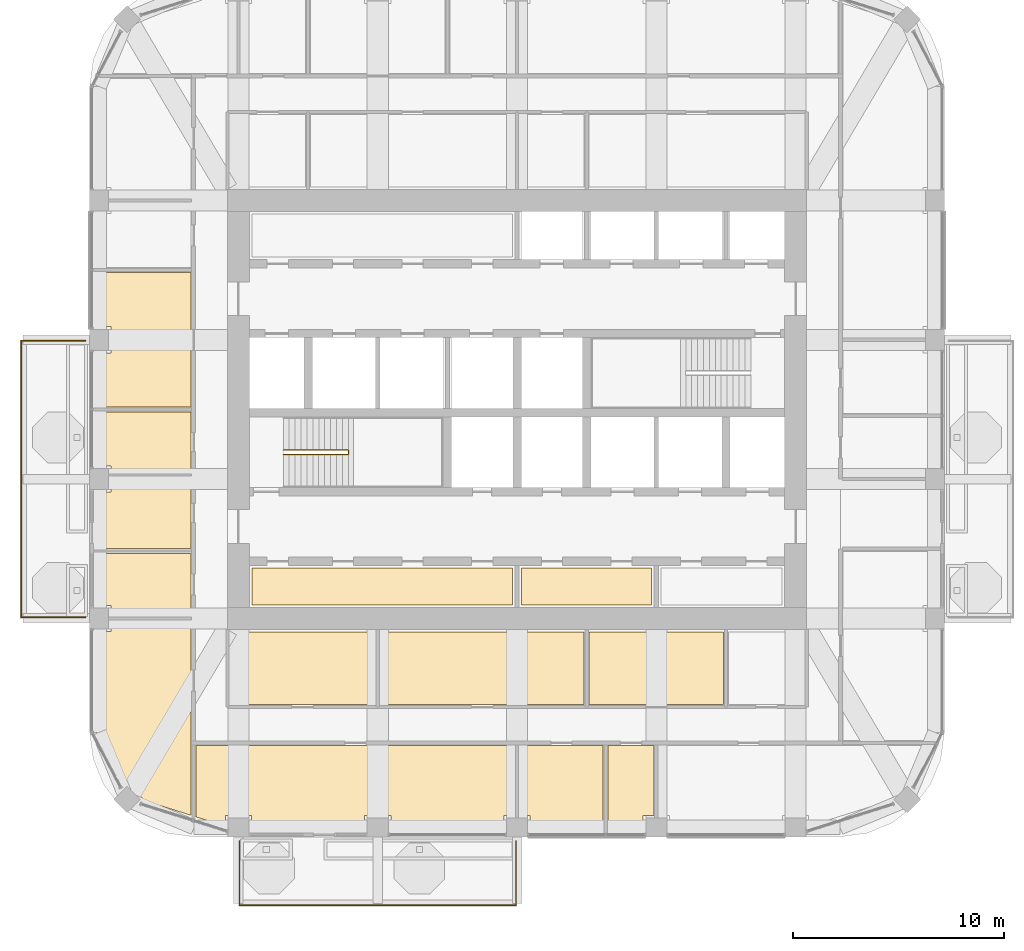
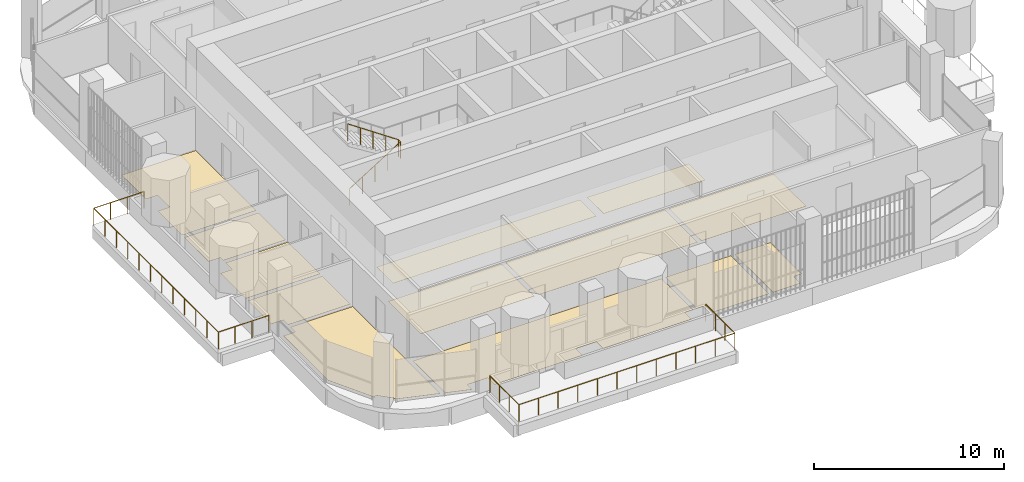
# One storey, part 15 of 18: 13 coverings, 3 railings.
"""IFC4 building model written with IfcOpenShell, lengths in metres."""

from ifc_helpers import new_model, si_unit, direction, frame, origin, place, context, subcontext, project, spatial, polyline, outline, extrude, material, layer, layer_set, type_object, element, save


model = new_model("IFC4")

# Units and contexts
model_context = context("Model", 3, precision=1e-05, world=origin(), true_north=direction((0.0, 1.0)))
body_context = subcontext(model_context, "Body", "Model", "MODEL_VIEW")
ifc_project = project(units=[si_unit("LENGTHUNIT", "METRE"), si_unit("AREAUNIT", "SQUARE_METRE"), si_unit("VOLUMEUNIT", "CUBIC_METRE"), si_unit("PLANEANGLEUNIT", "RADIAN"), si_unit("MASSUNIT", "GRAM", prefix="KILO")], contexts=[model_context])

# Site, building, storey
site_placement = place(None, origin())
site = spatial("IfcSite", under=ifc_project, at=site_placement, CompositionType="ELEMENT")
building_placement = place(site_placement, origin())
building = spatial("IfcBuilding", under=site, at=building_placement, Name="Cobogo Forest Laboratory Tower", CompositionType="ELEMENT")
storey_placement = place(building_placement, frame((0.0, 0.0, 271.199951171875)))
storey = spatial("IfcBuildingStorey", under=building, at=storey_placement, Name="L62", CompositionType="ELEMENT", Elevation=271.199951171875)

# Railings
ifc_material_1 = material(Name="Laminated glass balustrade", Category="glass")
railing_type_1 = type_object("IfcRailingType", Name="BG1 glass balustrade 1100", PredefinedType="GUARDRAIL", material=ifc_material_1)
railing_1_placement = place(storey_placement, frame((13.25, 2.64990234375, 0.0)))
element("IfcRailing", 1, at=railing_1_placement, inside=storey, type_object=railing_type_1, Name="Balcony balustrade BAL-S1 L62", PredefinedType="GUARDRAIL", context=body_context, shape_type="SweptSolid", body=[
    extrude(outline(polyline([(0.022216796875, 0.00927734375), (0.00927734375, 0.022216796875), (-0.00927734375, 0.022216796875), (-0.022216796875, 0.00927734375), (-0.022216796875, -0.00927734375), (-0.00927734375, -0.022216796875), (0.00927734375, -0.022216796875), (0.022216796875, -0.00927734375), (0.022216796875, 0.00927734375)])), frame((0.0, 0.0, 1.077880859375), z_axis=(0.0, -1.0, 0.0), x_axis=(1.0, 0.0, 0.0)), (0.0, 0.0, 1.0), 3.0498046875),
    extrude(outline(polyline([(0.022216796875, 0.00927734375), (0.00927734375, 0.022216796875), (-0.00927734375, 0.022216796875), (-0.022216796875, 0.00927734375), (-0.022216796875, -0.00927734375), (-0.00927734375, -0.022216796875), (0.00927734375, -0.022216796875), (0.022216796875, -0.00927734375), (0.022216796875, 0.00927734375)])), frame((0.0, -3.0498046875, 1.077880859375), z_axis=(1.0, 0.0, 0.0), x_axis=(0.0, 1.0, 0.0)), (0.0, 0.0, 1.0), 13.10009765625),
    extrude(outline(polyline([(0.022216796875, 0.00927734375), (0.00927734375, 0.022216796875), (-0.00927734375, 0.022216796875), (-0.022216796875, 0.00927734375), (-0.022216796875, -0.00927734375), (-0.00927734375, -0.022216796875), (0.00927734375, -0.022216796875), (0.022216796875, -0.00927734375), (0.022216796875, 0.00927734375)])), frame((13.10009765625, -3.0498046875, 1.077880859375), z_axis=(0.0, 1.0, 0.0), x_axis=(-1.0, 0.0, 0.0)), (0.0, 0.0, 1.0), 3.0498046875),
    extrude(outline(polyline([(0.019287109375, 0.008056640625), (0.008056640625, 0.019287109375), (-0.008056640625, 0.019287109375), (-0.019287109375, 0.008056640625), (-0.019287109375, -0.008056640625), (-0.008056640625, -0.019287109375), (0.008056640625, -0.019287109375), (0.019287109375, -0.008056640625), (0.019287109375, 0.008056640625)])), origin(), (0.0, 0.0, 1.0), 1.077880859375),
    extrude(outline(polyline([(0.019287109375, 0.008056640625), (0.008056640625, 0.019287109375), (-0.008056640625, 0.019287109375), (-0.019287109375, 0.008056640625), (-0.019287109375, -0.008056640625), (-0.008056640625, -0.019287109375), (0.008056640625, -0.019287109375), (0.019287109375, -0.008056640625), (0.019287109375, 0.008056640625)])), frame((0.0, -1.0166015625, 0.0)), (0.0, 0.0, 1.0), 1.077880859375),
    extrude(outline(polyline([(0.019287109375, 0.008056640625), (0.008056640625, 0.019287109375), (-0.008056640625, 0.019287109375), (-0.019287109375, 0.008056640625), (-0.019287109375, -0.008056640625), (-0.008056640625, -0.019287109375), (0.008056640625, -0.019287109375), (0.019287109375, -0.008056640625), (0.019287109375, 0.008056640625)])), frame((0.0, -2.033203125, 0.0)), (0.0, 0.0, 1.0), 1.077880859375),
    extrude(outline(polyline([(0.019287109375, 0.008056640625), (0.008056640625, 0.019287109375), (-0.008056640625, 0.019287109375), (-0.019287109375, 0.008056640625), (-0.019287109375, -0.008056640625), (-0.008056640625, -0.019287109375), (0.008056640625, -0.019287109375), (0.019287109375, -0.008056640625), (0.019287109375, 0.008056640625)])), frame((0.0, -3.0498046875, 0.0)), (0.0, 0.0, 1.0), 1.077880859375),
    extrude(outline(polyline([(0.019287109375, 0.008056640625), (0.008056640625, 0.019287109375), (-0.008056640625, 0.019287109375), (-0.019287109375, 0.008056640625), (-0.019287109375, -0.008056640625), (-0.008056640625, -0.019287109375), (0.008056640625, -0.019287109375), (0.019287109375, -0.008056640625), (0.019287109375, 0.008056640625)])), frame((1.19091796875, -3.0498046875, 0.0)), (0.0, 0.0, 1.0), 1.077880859375),
    extrude(outline(polyline([(0.019287109375, 0.008056640625), (0.008056640625, 0.019287109375), (-0.008056640625, 0.019287109375), (-0.019287109375, 0.008056640625), (-0.019287109375, -0.008056640625), (-0.008056640625, -0.019287109375), (0.008056640625, -0.019287109375), (0.019287109375, -0.008056640625), (0.019287109375, 0.008056640625)])), frame((2.3818359375, -3.0498046875, 0.0)), (0.0, 0.0, 1.0), 1.077880859375),
    extrude(outline(polyline([(0.019287109375, 0.008056640625), (0.008056640625, 0.019287109375), (-0.008056640625, 0.019287109375), (-0.019287109375, 0.008056640625), (-0.019287109375, -0.008056640625), (-0.008056640625, -0.019287109375), (0.008056640625, -0.019287109375), (0.019287109375, -0.008056640625), (0.019287109375, 0.008056640625)])), frame((3.57275390625, -3.0498046875, 0.0)), (0.0, 0.0, 1.0), 1.077880859375),
    extrude(outline(polyline([(0.019287109375, 0.008056640625), (0.008056640625, 0.019287109375), (-0.008056640625, 0.019287109375), (-0.019287109375, 0.008056640625), (-0.019287109375, -0.008056640625), (-0.008056640625, -0.019287109375), (0.008056640625, -0.019287109375), (0.019287109375, -0.008056640625), (0.019287109375, 0.008056640625)])), frame((4.763671875, -3.0498046875, 0.0)), (0.0, 0.0, 1.0), 1.077880859375),
    extrude(outline(polyline([(0.019287109375, 0.008056640625), (0.008056640625, 0.019287109375), (-0.008056640625, 0.019287109375), (-0.019287109375, 0.008056640625), (-0.019287109375, -0.008056640625), (-0.008056640625, -0.019287109375), (0.008056640625, -0.019287109375), (0.019287109375, -0.008056640625), (0.019287109375, 0.008056640625)])), frame((5.95458984375, -3.0498046875, 0.0)), (0.0, 0.0, 1.0), 1.077880859375),
    extrude(outline(polyline([(0.019287109375, 0.008056640625), (0.008056640625, 0.019287109375), (-0.008056640625, 0.019287109375), (-0.019287109375, 0.008056640625), (-0.019287109375, -0.008056640625), (-0.008056640625, -0.019287109375), (0.008056640625, -0.019287109375), (0.019287109375, -0.008056640625), (0.019287109375, 0.008056640625)])), frame((7.1455078125, -3.0498046875, 0.0)), (0.0, 0.0, 1.0), 1.077880859375),
    extrude(outline(polyline([(0.019287109375, 0.008056640625), (0.008056640625, 0.019287109375), (-0.008056640625, 0.019287109375), (-0.019287109375, 0.008056640625), (-0.019287109375, -0.008056640625), (-0.008056640625, -0.019287109375), (0.008056640625, -0.019287109375), (0.019287109375, -0.008056640625), (0.019287109375, 0.008056640625)])), frame((8.33642578125, -3.0498046875, 0.0)), (0.0, 0.0, 1.0), 1.077880859375),
    extrude(outline(polyline([(0.019287109375, 0.008056640625), (0.008056640625, 0.019287109375), (-0.008056640625, 0.019287109375), (-0.019287109375, 0.008056640625), (-0.019287109375, -0.008056640625), (-0.008056640625, -0.019287109375), (0.008056640625, -0.019287109375), (0.019287109375, -0.008056640625), (0.019287109375, 0.008056640625)])), frame((9.52734375, -3.0498046875, 0.0)), (0.0, 0.0, 1.0), 1.077880859375),
    extrude(outline(polyline([(0.019287109375, 0.008056640625), (0.008056640625, 0.019287109375), (-0.008056640625, 0.019287109375), (-0.019287109375, 0.008056640625), (-0.019287109375, -0.008056640625), (-0.008056640625, -0.019287109375), (0.008056640625, -0.019287109375), (0.019287109375, -0.008056640625), (0.019287109375, 0.008056640625)])), frame((10.71826171875, -3.0498046875, 0.0)), (0.0, 0.0, 1.0), 1.077880859375),
    extrude(outline(polyline([(0.019287109375, 0.008056640625), (0.008056640625, 0.019287109375), (-0.008056640625, 0.019287109375), (-0.019287109375, 0.008056640625), (-0.019287109375, -0.008056640625), (-0.008056640625, -0.019287109375), (0.008056640625, -0.019287109375), (0.019287109375, -0.008056640625), (0.019287109375, 0.008056640625)])), frame((11.9091796875, -3.0498046875, 0.0)), (0.0, 0.0, 1.0), 1.077880859375),
    extrude(outline(polyline([(0.019287109375, 0.008056640625), (0.008056640625, 0.019287109375), (-0.008056640625, 0.019287109375), (-0.019287109375, 0.008056640625), (-0.019287109375, -0.008056640625), (-0.008056640625, -0.019287109375), (0.008056640625, -0.019287109375), (0.019287109375, -0.008056640625), (0.019287109375, 0.008056640625)])), frame((13.10009765625, -3.0498046875, 0.0)), (0.0, 0.0, 1.0), 1.077880859375),
    extrude(outline(polyline([(0.019287109375, 0.008056640625), (0.008056640625, 0.019287109375), (-0.008056640625, 0.019287109375), (-0.019287109375, 0.008056640625), (-0.019287109375, -0.008056640625), (-0.008056640625, -0.019287109375), (0.008056640625, -0.019287109375), (0.019287109375, -0.008056640625), (0.019287109375, 0.008056640625)])), frame((13.10009765625, -2.033203125, 0.0)), (0.0, 0.0, 1.0), 1.077880859375),
    extrude(outline(polyline([(0.019287109375, 0.008056640625), (0.008056640625, 0.019287109375), (-0.008056640625, 0.019287109375), (-0.019287109375, 0.008056640625), (-0.019287109375, -0.008056640625), (-0.008056640625, -0.019287109375), (0.008056640625, -0.019287109375), (0.019287109375, -0.008056640625), (0.019287109375, 0.008056640625)])), frame((13.10009765625, -1.0166015625, 0.0)), (0.0, 0.0, 1.0), 1.077880859375),
    extrude(outline(polyline([(0.019287109375, 0.008056640625), (0.008056640625, 0.019287109375), (-0.008056640625, 0.019287109375), (-0.019287109375, 0.008056640625), (-0.019287109375, -0.008056640625), (-0.008056640625, -0.019287109375), (0.008056640625, -0.019287109375), (0.019287109375, -0.008056640625), (0.019287109375, 0.008056640625)])), frame((13.10009765625, 0.0, 0.0)), (0.0, 0.0, 1.0), 1.077880859375),
])
railing_2_placement = place(storey_placement, frame((5.949951171875, 13.25, 0.0)))
element("IfcRailing", 2, at=railing_2_placement, inside=storey, type_object=railing_type_1, Name="Balcony balustrade BAL-W1 L62", PredefinedType="GUARDRAIL", context=body_context, shape_type="SweptSolid", body=[
    extrude(outline(polyline([(0.022216796875, 0.00927734375), (0.00927734375, 0.022216796875), (-0.00927734375, 0.022216796875), (-0.022216796875, 0.00927734375), (-0.022216796875, -0.00927734375), (-0.00927734375, -0.022216796875), (0.00927734375, -0.022216796875), (0.022216796875, -0.00927734375), (0.022216796875, 0.00927734375)])), frame((0.0, 0.0, 1.077880859375), z_axis=(-1.0, 0.0, 0.0), x_axis=(0.0, -1.0, 0.0)), (0.0, 0.0, 1.0), 3.050048828125),
    extrude(outline(polyline([(0.022216796875, 0.00927734375), (0.00927734375, 0.022216796875), (-0.00927734375, 0.022216796875), (-0.022216796875, 0.00927734375), (-0.022216796875, -0.00927734375), (-0.00927734375, -0.022216796875), (0.00927734375, -0.022216796875), (0.022216796875, -0.00927734375), (0.022216796875, 0.00927734375)])), frame((-3.050048828125, 0.0, 1.077880859375), z_axis=(0.0, 1.0, 0.0), x_axis=(-1.0, 0.0, 0.0)), (0.0, 0.0, 1.0), 13.10009765625),
    extrude(outline(polyline([(0.022216796875, 0.00927734375), (0.00927734375, 0.022216796875), (-0.00927734375, 0.022216796875), (-0.022216796875, 0.00927734375), (-0.022216796875, -0.00927734375), (-0.00927734375, -0.022216796875), (0.00927734375, -0.022216796875), (0.022216796875, -0.00927734375), (0.022216796875, 0.00927734375)])), frame((-3.050048828125, 13.10009765625, 1.077880859375), z_axis=(1.0, 0.0, 0.0), x_axis=(0.0, 1.0, 0.0)), (0.0, 0.0, 1.0), 3.050048828125),
    extrude(outline(polyline([(0.019287109375, 0.008056640625), (0.008056640625, 0.019287109375), (-0.008056640625, 0.019287109375), (-0.019287109375, 0.008056640625), (-0.019287109375, -0.008056640625), (-0.008056640625, -0.019287109375), (0.008056640625, -0.019287109375), (0.019287109375, -0.008056640625), (0.019287109375, 0.008056640625)])), origin(), (0.0, 0.0, 1.0), 1.077880859375),
    extrude(outline(polyline([(0.019287109375, 0.008056640625), (0.008056640625, 0.019287109375), (-0.008056640625, 0.019287109375), (-0.019287109375, 0.008056640625), (-0.019287109375, -0.008056640625), (-0.008056640625, -0.019287109375), (0.008056640625, -0.019287109375), (0.019287109375, -0.008056640625), (0.019287109375, 0.008056640625)])), frame((-1.0166015625, 0.0, 0.0)), (0.0, 0.0, 1.0), 1.077880859375),
    extrude(outline(polyline([(0.019287109375, 0.008056640625), (0.008056640625, 0.019287109375), (-0.008056640625, 0.019287109375), (-0.019287109375, 0.008056640625), (-0.019287109375, -0.008056640625), (-0.008056640625, -0.019287109375), (0.008056640625, -0.019287109375), (0.019287109375, -0.008056640625), (0.019287109375, 0.008056640625)])), frame((-2.033447265625, 0.0, 0.0)), (0.0, 0.0, 1.0), 1.077880859375),
    extrude(outline(polyline([(0.019287109375, 0.008056640625), (0.008056640625, 0.019287109375), (-0.008056640625, 0.019287109375), (-0.019287109375, 0.008056640625), (-0.019287109375, -0.008056640625), (-0.008056640625, -0.019287109375), (0.008056640625, -0.019287109375), (0.019287109375, -0.008056640625), (0.019287109375, 0.008056640625)])), frame((-3.050048828125, 0.0, 0.0)), (0.0, 0.0, 1.0), 1.077880859375),
    extrude(outline(polyline([(0.019287109375, 0.008056640625), (0.008056640625, 0.019287109375), (-0.008056640625, 0.019287109375), (-0.019287109375, 0.008056640625), (-0.019287109375, -0.008056640625), (-0.008056640625, -0.019287109375), (0.008056640625, -0.019287109375), (0.019287109375, -0.008056640625), (0.019287109375, 0.008056640625)])), frame((-3.050048828125, 1.19091796875, 0.0)), (0.0, 0.0, 1.0), 1.077880859375),
    extrude(outline(polyline([(0.019287109375, 0.008056640625), (0.008056640625, 0.019287109375), (-0.008056640625, 0.019287109375), (-0.019287109375, 0.008056640625), (-0.019287109375, -0.008056640625), (-0.008056640625, -0.019287109375), (0.008056640625, -0.019287109375), (0.019287109375, -0.008056640625), (0.019287109375, 0.008056640625)])), frame((-3.050048828125, 2.3818359375, 0.0)), (0.0, 0.0, 1.0), 1.077880859375),
    extrude(outline(polyline([(0.019287109375, 0.008056640625), (0.008056640625, 0.019287109375), (-0.008056640625, 0.019287109375), (-0.019287109375, 0.008056640625), (-0.019287109375, -0.008056640625), (-0.008056640625, -0.019287109375), (0.008056640625, -0.019287109375), (0.019287109375, -0.008056640625), (0.019287109375, 0.008056640625)])), frame((-3.050048828125, 3.57275390625, 0.0)), (0.0, 0.0, 1.0), 1.077880859375),
    extrude(outline(polyline([(0.019287109375, 0.008056640625), (0.008056640625, 0.019287109375), (-0.008056640625, 0.019287109375), (-0.019287109375, 0.008056640625), (-0.019287109375, -0.008056640625), (-0.008056640625, -0.019287109375), (0.008056640625, -0.019287109375), (0.019287109375, -0.008056640625), (0.019287109375, 0.008056640625)])), frame((-3.050048828125, 4.763671875, 0.0)), (0.0, 0.0, 1.0), 1.077880859375),
    extrude(outline(polyline([(0.019287109375, 0.008056640625), (0.008056640625, 0.019287109375), (-0.008056640625, 0.019287109375), (-0.019287109375, 0.008056640625), (-0.019287109375, -0.008056640625), (-0.008056640625, -0.019287109375), (0.008056640625, -0.019287109375), (0.019287109375, -0.008056640625), (0.019287109375, 0.008056640625)])), frame((-3.050048828125, 5.95458984375, 0.0)), (0.0, 0.0, 1.0), 1.077880859375),
    extrude(outline(polyline([(0.019287109375, 0.008056640625), (0.008056640625, 0.019287109375), (-0.008056640625, 0.019287109375), (-0.019287109375, 0.008056640625), (-0.019287109375, -0.008056640625), (-0.008056640625, -0.019287109375), (0.008056640625, -0.019287109375), (0.019287109375, -0.008056640625), (0.019287109375, 0.008056640625)])), frame((-3.050048828125, 7.1455078125, 0.0)), (0.0, 0.0, 1.0), 1.077880859375),
    extrude(outline(polyline([(0.019287109375, 0.008056640625), (0.008056640625, 0.019287109375), (-0.008056640625, 0.019287109375), (-0.019287109375, 0.008056640625), (-0.019287109375, -0.008056640625), (-0.008056640625, -0.019287109375), (0.008056640625, -0.019287109375), (0.019287109375, -0.008056640625), (0.019287109375, 0.008056640625)])), frame((-3.050048828125, 8.33642578125, 0.0)), (0.0, 0.0, 1.0), 1.077880859375),
    extrude(outline(polyline([(0.019287109375, 0.008056640625), (0.008056640625, 0.019287109375), (-0.008056640625, 0.019287109375), (-0.019287109375, 0.008056640625), (-0.019287109375, -0.008056640625), (-0.008056640625, -0.019287109375), (0.008056640625, -0.019287109375), (0.019287109375, -0.008056640625), (0.019287109375, 0.008056640625)])), frame((-3.050048828125, 9.52734375, 0.0)), (0.0, 0.0, 1.0), 1.077880859375),
    extrude(outline(polyline([(0.019287109375, 0.008056640625), (0.008056640625, 0.019287109375), (-0.008056640625, 0.019287109375), (-0.019287109375, 0.008056640625), (-0.019287109375, -0.008056640625), (-0.008056640625, -0.019287109375), (0.008056640625, -0.019287109375), (0.019287109375, -0.008056640625), (0.019287109375, 0.008056640625)])), frame((-3.050048828125, 10.71826171875, 0.0)), (0.0, 0.0, 1.0), 1.077880859375),
    extrude(outline(polyline([(0.019287109375, 0.008056640625), (0.008056640625, 0.019287109375), (-0.008056640625, 0.019287109375), (-0.019287109375, 0.008056640625), (-0.019287109375, -0.008056640625), (-0.008056640625, -0.019287109375), (0.008056640625, -0.019287109375), (0.019287109375, -0.008056640625), (0.019287109375, 0.008056640625)])), frame((-3.050048828125, 11.9091796875, 0.0)), (0.0, 0.0, 1.0), 1.077880859375),
    extrude(outline(polyline([(0.019287109375, 0.008056640625), (0.008056640625, 0.019287109375), (-0.008056640625, 0.019287109375), (-0.019287109375, 0.008056640625), (-0.019287109375, -0.008056640625), (-0.008056640625, -0.019287109375), (0.008056640625, -0.019287109375), (0.019287109375, -0.008056640625), (0.019287109375, 0.008056640625)])), frame((-3.050048828125, 13.10009765625, 0.0)), (0.0, 0.0, 1.0), 1.077880859375),
    extrude(outline(polyline([(0.019287109375, 0.008056640625), (0.008056640625, 0.019287109375), (-0.008056640625, 0.019287109375), (-0.019287109375, 0.008056640625), (-0.019287109375, -0.008056640625), (-0.008056640625, -0.019287109375), (0.008056640625, -0.019287109375), (0.019287109375, -0.008056640625), (0.019287109375, 0.008056640625)])), frame((-2.033447265625, 13.10009765625, 0.0)), (0.0, 0.0, 1.0), 1.077880859375),
    extrude(outline(polyline([(0.019287109375, 0.008056640625), (0.008056640625, 0.019287109375), (-0.008056640625, 0.019287109375), (-0.019287109375, 0.008056640625), (-0.019287109375, -0.008056640625), (-0.008056640625, -0.019287109375), (0.008056640625, -0.019287109375), (0.019287109375, -0.008056640625), (0.019287109375, 0.008056640625)])), frame((-1.0166015625, 13.10009765625, 0.0)), (0.0, 0.0, 1.0), 1.077880859375),
    extrude(outline(polyline([(0.019287109375, 0.008056640625), (0.008056640625, 0.019287109375), (-0.008056640625, 0.019287109375), (-0.019287109375, 0.008056640625), (-0.019287109375, -0.008056640625), (-0.008056640625, -0.019287109375), (0.008056640625, -0.019287109375), (0.019287109375, -0.008056640625), (0.019287109375, 0.008056640625)])), frame((0.0, 13.10009765625, 0.0)), (0.0, 0.0, 1.0), 1.077880859375),
])

# Coverings
ifc_material_2 = material(Name="Carpet tile on raised access floor", Category="flooring")
ifc_layer_1 = layer(ifc_material_2, 0.008056640625)
ifc_layer_set_1 = layer_set([ifc_layer_1], Name="CT1 carpet tile floor 8")
covering_type_1 = type_object("IfcCoveringType", Name="CT1 carpet tile floor 8", PredefinedType="FLOORING", material=ifc_layer_set_1)
covering_1_placement = place(storey_placement, origin())
element("IfcCovering", 3, at=covering_1_placement, inside=storey, type_object=covering_type_1, Name="Carpet floor L62-05", PredefinedType="FLOORING", context=body_context, shape_type="SweptSolid", body=[
    extrude(outline(polyline([(19.679931640625, 9.1201171875), (12.794921875, 9.1201171875), (12.794921875, 12.554931640625), (19.679931640625, 12.554931640625), (19.679931640625, 9.1201171875)])), origin(), (0.0, 0.0, 1.0), 0.008056640625),
])
covering_2_placement = place(storey_placement, origin())
element("IfcCovering", 4, at=covering_2_placement, inside=storey, type_object=covering_type_1, Name="Carpet floor L62-06", PredefinedType="FLOORING", context=body_context, shape_type="SweptSolid", body=[
    extrude(outline(polyline([(29.580078125, 9.1201171875), (19.919921875, 9.1201171875), (19.919921875, 12.554931640625), (29.580078125, 12.554931640625), (29.580078125, 9.1201171875)])), origin(), (0.0, 0.0, 1.0), 0.008056640625),
])
covering_3_placement = place(storey_placement, origin())
element("IfcCovering", 5, at=covering_3_placement, inside=storey, type_object=covering_type_1, Name="Carpet floor L62-07", PredefinedType="FLOORING", context=body_context, shape_type="SweptSolid", body=[
    extrude(outline(polyline([(36.179931640625, 9.1201171875), (29.820068359375, 9.1201171875), (29.820068359375, 12.554931640625), (36.179931640625, 12.554931640625), (36.179931640625, 9.1201171875)])), origin(), (0.0, 0.0, 1.0), 0.008056640625),
])
covering_4_placement = place(storey_placement, origin())
element("IfcCovering", 6, at=covering_4_placement, inside=storey, type_object=covering_type_1, Name="Carpet floor L62-09", PredefinedType="FLOORING", context=body_context, shape_type="SweptSolid", body=[
    extrude(outline(polyline([(26.280029296875, 7.179931640625), (26.280029296875, 3.8701171875), (25.780029296875, 3.8701171875), (25.780029296875, 3.14990234375), (20.419921875, 3.14990234375), (20.419921875, 3.8701171875), (19.179931640625, 3.8701171875), (19.179931640625, 3.14990234375), (13.820068359375, 3.14990234375), (13.820068359375, 3.8701171875), (12.580078125, 3.8701171875), (12.580078125, 3.35546875), (11.195068359375, 3.79296875), (11.195068359375, 7.179931640625), (26.280029296875, 7.179931640625)])), origin(), (0.0, 0.0, 1.0), 0.008056640625),
])
covering_5_placement = place(storey_placement, origin())
element("IfcCovering", 7, at=covering_5_placement, inside=storey, type_object=covering_type_1, Name="Carpet floor L62-10", PredefinedType="FLOORING", context=body_context, shape_type="SweptSolid", body=[
    extrude(outline(polyline([(30.47998046875, 7.179931640625), (30.47998046875, 3.14990234375), (27.02001953125, 3.14990234375), (27.02001953125, 3.8701171875), (26.52001953125, 3.8701171875), (26.52001953125, 7.179931640625), (30.47998046875, 7.179931640625)])), origin(), (0.0, 0.0, 1.0), 0.008056640625),
])
covering_6_placement = place(storey_placement, origin())
element("IfcCovering", 8, at=covering_6_placement, inside=storey, type_object=covering_type_1, Name="Carpet floor L62-22", PredefinedType="FLOORING", context=body_context, shape_type="SweptSolid", body=[
    extrude(outline(polyline([(8.68994140625, 4.583984375), (8.72412109375, 4.617919921875), (7.91796875, 5.424072265625), (7.788818359375, 5.294921875), (6.449951171875, 7.84912109375), (6.449951171875, 12.580078125), (7.169921875, 12.580078125), (7.169921875, 13.080078125), (10.955078125, 13.080078125), (10.955078125, 3.86865234375), (8.68994140625, 4.583984375)])), origin(), (0.0, 0.0, 1.0), 0.008056640625),
])
covering_7_placement = place(storey_placement, origin())
element("IfcCovering", 9, at=covering_7_placement, inside=storey, type_object=covering_type_1, Name="Carpet floor L62-26", PredefinedType="FLOORING", context=body_context, shape_type="SweptSolid", body=[
    extrude(outline(polyline([(10.955078125, 23.219970703125), (6.449951171875, 23.219970703125), (6.449951171875, 25.780029296875), (7.169921875, 25.780029296875), (7.169921875, 27.02001953125), (6.449951171875, 27.02001953125), (6.449951171875, 29.580078125), (10.955078125, 29.580078125), (10.955078125, 23.219970703125)])), origin(), (0.0, 0.0, 1.0), 0.008056640625),
])
covering_8_placement = place(storey_placement, origin())
element("IfcCovering", 10, at=covering_8_placement, inside=storey, type_object=covering_type_1, Name="Carpet floor L62-36", PredefinedType="FLOORING", context=body_context, shape_type="SweptSolid", body=[
    extrude(outline(polyline([(26.179931640625, 13.844970703125), (13.844970703125, 13.844970703125), (13.844970703125, 15.580078125), (26.179931640625, 15.580078125), (26.179931640625, 13.844970703125)])), origin(), (0.0, 0.0, 1.0), 0.008056640625),
])

# Railing
ifc_material_3 = material(Name="Steel balustrade", Category="steel")
railing_type_2 = type_object("IfcRailingType", Name="GR stair guard 1100", PredefinedType="GUARDRAIL", material=ifc_material_3)
railing_3_placement = place(storey_placement, frame((15.324951171875, 20.969970703125, 0.175048828125)))
element("IfcRailing", 11, at=railing_3_placement, inside=storey, type_object=railing_type_2, Name="Stair guard ST1 L62", PredefinedType="GUARDRAIL", context=body_context, shape_type="SweptSolid", body=[
    extrude(outline(polyline([(0.022216796875, 0.00927734375), (0.00927734375, 0.022216796875), (-0.00927734375, 0.022216796875), (-0.022216796875, 0.00927734375), (-0.022216796875, -0.00927734375), (-0.00927734375, -0.022216796875), (0.00927734375, -0.022216796875), (0.022216796875, -0.00927734375), (0.022216796875, 0.00927734375)])), frame((0.0, 0.0, 1.077880859375), z_axis=(0.847998304005, 0.0, 0.529998940003), x_axis=(0.0, 1.0, 0.0)), (0.0, 0.0, 1.0), 3.632080078125),
    extrude(outline(polyline([(0.022216796875, 0.00927734375), (0.00927734375, 0.022216796875), (-0.00927734375, 0.022216796875), (-0.022216796875, 0.00927734375), (-0.022216796875, -0.00927734375), (-0.00927734375, -0.022216796875), (0.00927734375, -0.022216796875), (0.022216796875, -0.00927734375), (0.022216796875, 0.00927734375)])), frame((3.080078125, 0.0, 3.0029296875), z_axis=(0.0, 1.0, 0.0), x_axis=(-1.0, 0.0, 0.0)), (0.0, 0.0, 1.0), 0.2099609375),
    extrude(outline(polyline([(0.022216796875, 0.00927734375), (0.00927734375, 0.022216796875), (-0.00927734375, 0.022216796875), (-0.022216796875, 0.00927734375), (-0.022216796875, -0.00927734375), (-0.00927734375, -0.022216796875), (0.00927734375, -0.022216796875), (0.022216796875, -0.00927734375), (0.022216796875, 0.00927734375)])), frame((3.080078125, 0.2099609375, 3.0029296875), z_axis=(-0.826252282691, 0.0, 0.563300244406), x_axis=(0.0, -1.0, 0.0)), (0.0, 0.0, 1.0), 3.727783203125),
    extrude(outline(polyline([(0.019287109375, 0.008056640625), (0.008056640625, 0.019287109375), (-0.008056640625, 0.019287109375), (-0.019287109375, 0.008056640625), (-0.019287109375, -0.008056640625), (-0.008056640625, -0.019287109375), (0.008056640625, -0.019287109375), (0.019287109375, -0.008056640625), (0.019287109375, 0.008056640625)])), origin(), (0.0, 0.0, 1.0), 1.077880859375),
    extrude(outline(polyline([(0.019287109375, 0.008056640625), (0.008056640625, 0.019287109375), (-0.008056640625, 0.019287109375), (-0.019287109375, 0.008056640625), (-0.019287109375, -0.008056640625), (-0.008056640625, -0.019287109375), (0.008056640625, -0.019287109375), (0.019287109375, -0.008056640625), (0.019287109375, 0.008056640625)])), frame((0.77001953125, 0.0, 0.481201171875)), (0.0, 0.0, 1.0), 1.077880859375),
    extrude(outline(polyline([(0.019287109375, 0.008056640625), (0.008056640625, 0.019287109375), (-0.008056640625, 0.019287109375), (-0.019287109375, 0.008056640625), (-0.019287109375, -0.008056640625), (-0.008056640625, -0.019287109375), (0.008056640625, -0.019287109375), (0.019287109375, -0.008056640625), (0.019287109375, 0.008056640625)])), frame((1.5400390625, 0.0, 0.96240234375)), (0.0, 0.0, 1.0), 1.077880859375),
    extrude(outline(polyline([(0.019287109375, 0.008056640625), (0.008056640625, 0.019287109375), (-0.008056640625, 0.019287109375), (-0.019287109375, 0.008056640625), (-0.019287109375, -0.008056640625), (-0.008056640625, -0.019287109375), (0.008056640625, -0.019287109375), (0.019287109375, -0.008056640625), (0.019287109375, 0.008056640625)])), frame((2.31005859375, 0.0, 1.44384765625)), (0.0, 0.0, 1.0), 1.077880859375),
    extrude(outline(polyline([(0.019287109375, 0.008056640625), (0.008056640625, 0.019287109375), (-0.008056640625, 0.019287109375), (-0.019287109375, 0.008056640625), (-0.019287109375, -0.008056640625), (-0.008056640625, -0.019287109375), (0.008056640625, -0.019287109375), (0.019287109375, -0.008056640625), (0.019287109375, 0.008056640625)])), frame((3.080078125, 0.0, 1.925048828125)), (0.0, 0.0, 1.0), 1.077880859375),
    extrude(outline(polyline([(0.019287109375, 0.008056640625), (0.008056640625, 0.019287109375), (-0.008056640625, 0.019287109375), (-0.019287109375, 0.008056640625), (-0.019287109375, -0.008056640625), (-0.008056640625, -0.019287109375), (0.008056640625, -0.019287109375), (0.019287109375, -0.008056640625), (0.019287109375, 0.008056640625)])), frame((3.080078125, 0.2099609375, 1.925048828125)), (0.0, 0.0, 1.0), 1.077880859375),
    extrude(outline(polyline([(0.019287109375, 0.008056640625), (0.008056640625, 0.019287109375), (-0.008056640625, 0.019287109375), (-0.019287109375, 0.008056640625), (-0.019287109375, -0.008056640625), (-0.008056640625, -0.019287109375), (0.008056640625, -0.019287109375), (0.019287109375, -0.008056640625), (0.019287109375, 0.008056640625)])), frame((2.31005859375, 0.2099609375, 2.449951171875)), (0.0, 0.0, 1.0), 1.077880859375),
    extrude(outline(polyline([(0.019287109375, 0.008056640625), (0.008056640625, 0.019287109375), (-0.008056640625, 0.019287109375), (-0.019287109375, 0.008056640625), (-0.019287109375, -0.008056640625), (-0.008056640625, -0.019287109375), (0.008056640625, -0.019287109375), (0.019287109375, -0.008056640625), (0.019287109375, 0.008056640625)])), frame((1.5400390625, 0.2099609375, 2.97509765625)), (0.0, 0.0, 1.0), 1.077880859375),
    extrude(outline(polyline([(0.019287109375, 0.008056640625), (0.008056640625, 0.019287109375), (-0.008056640625, 0.019287109375), (-0.019287109375, 0.008056640625), (-0.019287109375, -0.008056640625), (-0.008056640625, -0.019287109375), (0.008056640625, -0.019287109375), (0.019287109375, -0.008056640625), (0.019287109375, 0.008056640625)])), frame((0.77001953125, 0.2099609375, 3.5)), (0.0, 0.0, 1.0), 1.077880859375),
    extrude(outline(polyline([(0.019287109375, 0.008056640625), (0.008056640625, 0.019287109375), (-0.008056640625, 0.019287109375), (-0.019287109375, 0.008056640625), (-0.019287109375, -0.008056640625), (-0.008056640625, -0.019287109375), (0.008056640625, -0.019287109375), (0.019287109375, -0.008056640625), (0.019287109375, 0.008056640625)])), frame((0.0, 0.2099609375, 4.02490234375)), (0.0, 0.0, 1.0), 1.077880859375),
])

# Coverings
ifc_material_4 = material(Name="Ceramic floor tile", Category="flooring")
ifc_layer_2 = layer(ifc_material_4, 0.010009765625)
ifc_layer_set_2 = layer_set([ifc_layer_2], Name="TF1 ceramic tile floor 10")
covering_type_2 = type_object("IfcCoveringType", Name="TF1 ceramic tile floor 10", PredefinedType="FLOORING", material=ifc_layer_set_2)
covering_9_placement = place(storey_placement, origin())
element("IfcCovering", 12, at=covering_9_placement, inside=storey, type_object=covering_type_2, Name="Tile floor L62-11", PredefinedType="FLOORING", context=body_context, shape_type="SweptSolid", body=[
    extrude(outline(polyline([(32.8798828125, 7.179931640625), (32.8798828125, 3.8701171875), (32.3798828125, 3.8701171875), (32.3798828125, 3.14990234375), (30.719970703125, 3.14990234375), (30.719970703125, 7.179931640625), (32.8798828125, 7.179931640625)])), origin(), (0.0, 0.0, 1.0), 0.010009765625),
])
covering_10_placement = place(storey_placement, origin())
element("IfcCovering", 13, at=covering_10_placement, inside=storey, type_object=covering_type_2, Name="Tile floor L62-23", PredefinedType="FLOORING", context=body_context, shape_type="SweptSolid", body=[
    extrude(outline(polyline([(10.955078125, 13.320068359375), (7.169921875, 13.320068359375), (7.169921875, 13.820068359375), (6.449951171875, 13.820068359375), (6.449951171875, 16.280029296875), (10.955078125, 16.280029296875), (10.955078125, 13.320068359375)])), origin(), (0.0, 0.0, 1.0), 0.010009765625),
])
covering_11_placement = place(storey_placement, origin())
element("IfcCovering", 14, at=covering_11_placement, inside=storey, type_object=covering_type_2, Name="Tile floor L62-24", PredefinedType="FLOORING", context=body_context, shape_type="SweptSolid", body=[
    extrude(outline(polyline([(10.955078125, 16.52001953125), (6.449951171875, 16.52001953125), (6.449951171875, 19.179931640625), (7.169921875, 19.179931640625), (7.169921875, 19.8798828125), (10.955078125, 19.8798828125), (10.955078125, 16.52001953125)])), origin(), (0.0, 0.0, 1.0), 0.010009765625),
])
covering_12_placement = place(storey_placement, origin())
element("IfcCovering", 15, at=covering_12_placement, inside=storey, type_object=covering_type_2, Name="Tile floor L62-25", PredefinedType="FLOORING", context=body_context, shape_type="SweptSolid", body=[
    extrude(outline(polyline([(10.955078125, 20.1201171875), (7.169921875, 20.1201171875), (7.169921875, 20.419921875), (6.449951171875, 20.419921875), (6.449951171875, 22.97998046875), (10.955078125, 22.97998046875), (10.955078125, 20.1201171875)])), origin(), (0.0, 0.0, 1.0), 0.010009765625),
])
covering_13_placement = place(storey_placement, origin())
element("IfcCovering", 16, at=covering_13_placement, inside=storey, type_object=covering_type_2, Name="Tile floor L62-37", PredefinedType="FLOORING", context=body_context, shape_type="SweptSolid", body=[
    extrude(outline(polyline([(32.780029296875, 13.844970703125), (26.6201171875, 13.844970703125), (26.6201171875, 15.580078125), (32.780029296875, 15.580078125), (32.780029296875, 13.844970703125)])), origin(), (0.0, 0.0, 1.0), 0.010009765625),
])

save(model, "model.ifc")
